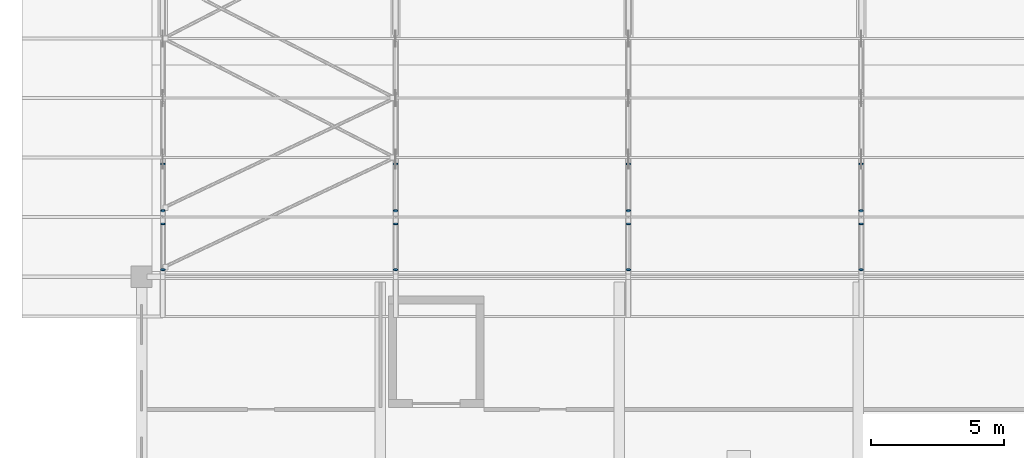
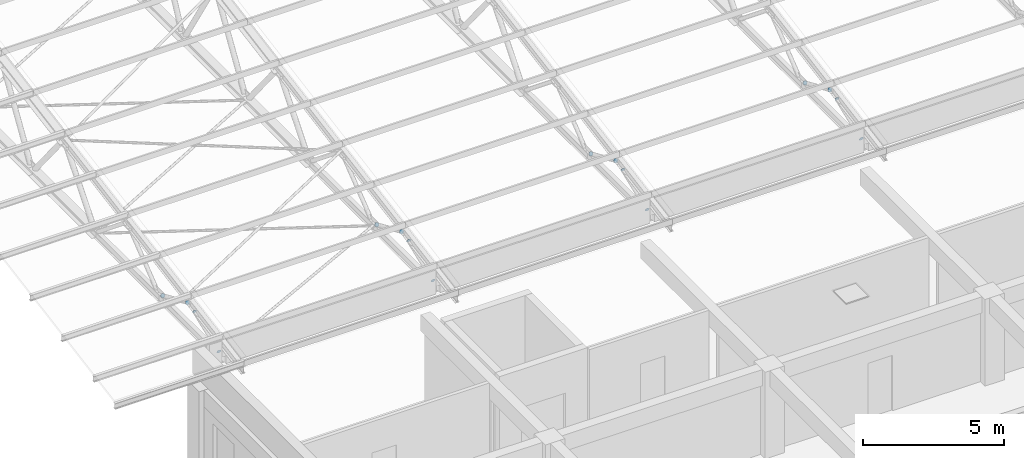
# One storey, part 102 of 185: 16 plates.
"""IFC4 building model written with IfcOpenShell, lengths in metres."""

from ifc_helpers import new_model, si_unit, direction, frame, origin, origin_2d, place, context, subcontext, project, spatial, circle, extrude, material, material_profile, profile_set, type_object, element, save


model = new_model("IFC4")

# Units and contexts
model_context = context("Model", 3, precision=1e-05, world=origin(), true_north=direction((0.0, 1.0)))
body_context = subcontext(model_context, "Body", "Model", "MODEL_VIEW")
ifc_project = project(units=[si_unit("LENGTHUNIT", "METRE"), si_unit("AREAUNIT", "SQUARE_METRE"), si_unit("VOLUMEUNIT", "CUBIC_METRE"), si_unit("PLANEANGLEUNIT", "RADIAN"), si_unit("MASSUNIT", "GRAM", prefix="KILO")], contexts=[model_context])

# Site, building, storey
site_placement = place(None, origin())
site = spatial("IfcSite", under=ifc_project, at=site_placement, CompositionType="ELEMENT")
building_placement = place(site_placement, origin())
building = spatial("IfcBuilding", under=site, at=building_placement, Name="Opaline Strait Convention Centre", CompositionType="ELEMENT")
storey_placement = place(building_placement, frame((0.0, 0.0, 6.0)))
storey = spatial("IfcBuildingStorey", under=building, at=storey_placement, Name="L01", CompositionType="ELEMENT", Elevation=6.0)

# Plates
ifc_material = material(Name="Steel Q355B", Category="steel")
ifc_material_profile = material_profile(ifc_material, circle(Radius=0.083984375, at=origin_2d()), Name="D168")
ifc_profile_set = profile_set([ifc_material_profile], Name="Steel Q355B")
plate_type = type_object("IfcPlateType", Name="Truss web end plate 168 x 12", PredefinedType="SHEET", material=ifc_profile_set)
for number, where, z_axis, x_axis, name in (
    (1, (288.800048828125, 27.2548828125, 4.678955078125), (0.0, 0.931242779706, 0.364399348581), (-1.0, 0.0, 0.0), "BWP1 web end plate line 1 member 1.1"),
    (2, (288.800048828125, 28.977783203125, 5.364501953125), (0.0, 0.931242779706, 0.364399348581), (-1.0, 0.0, 0.0), "BWP1 web end plate line 1 member 1.2"),
    (3, (288.800048828125, 31.25048828125, 4.678955078125), (0.0, -0.91381154862, 0.406138466053), (1.0, 0.0, 0.0), "BWP1 web end plate line 1 member 2.1"),
    (4, (288.800048828125, 29.49169921875, 5.450927734375), (0.0, -0.91381154862, 0.406138466053), (1.0, 0.0, 0.0), "BWP1 web end plate line 1 member 2.2"),
    (5, (297.5712890625, 27.2548828125, 4.678955078125), (0.0, 0.931242779706, 0.364399348581), (-1.0, 0.0, 0.0), "BWP1 web end plate line 2 member 1.1"),
    (6, (297.5712890625, 28.977783203125, 5.364501953125), (0.0, 0.931242779706, 0.364399348581), (-1.0, 0.0, 0.0), "BWP1 web end plate line 2 member 1.2"),
    (7, (297.5712890625, 31.25048828125, 4.678955078125), (0.0, -0.91381154862, 0.406138466053), (1.0, 0.0, 0.0), "BWP1 web end plate line 2 member 2.1"),
    (8, (297.5712890625, 29.49169921875, 5.450927734375), (0.0, -0.91381154862, 0.406138466053), (1.0, 0.0, 0.0), "BWP1 web end plate line 2 member 2.2"),
    (9, (306.343017578125, 27.2548828125, 4.678955078125), (0.0, 0.931242779706, 0.364399348581), (-1.0, 0.0, 0.0), "BWP1 web end plate line 3 member 1.1"),
    (10, (306.343017578125, 28.977783203125, 5.364501953125), (0.0, 0.931242779706, 0.364399348581), (-1.0, 0.0, 0.0), "BWP1 web end plate line 3 member 1.2"),
    (11, (306.343017578125, 31.25048828125, 4.678955078125), (0.0, -0.91381154862, 0.406138466053), (1.0, 0.0, 0.0), "BWP1 web end plate line 3 member 2.1"),
    (12, (306.343017578125, 29.49169921875, 5.450927734375), (0.0, -0.91381154862, 0.406138466053), (1.0, 0.0, 0.0), "BWP1 web end plate line 3 member 2.2"),
    (13, (315.1142578125, 27.2548828125, 4.678955078125), (0.0, 0.931242779706, 0.364399348581), (-1.0, 0.0, 0.0), "BWP1 web end plate line 4 member 1.1"),
    (14, (315.1142578125, 28.977783203125, 5.364501953125), (0.0, 0.931242779706, 0.364399348581), (-1.0, 0.0, 0.0), "BWP1 web end plate line 4 member 1.2"),
    (15, (315.1142578125, 31.25048828125, 4.678955078125), (0.0, -0.91381154862, 0.406138466053), (1.0, 0.0, 0.0), "BWP1 web end plate line 4 member 2.1"),
    (16, (315.1142578125, 29.49169921875, 5.450927734375), (0.0, -0.91381154862, 0.406138466053), (1.0, 0.0, 0.0), "BWP1 web end plate line 4 member 2.2"),
):
    element("IfcPlate", number, at=place(storey_placement, frame(where, z_axis=z_axis, x_axis=x_axis)), inside=storey, type_object=plate_type, Name=name, PredefinedType="SHEET", context=body_context, shape_type="SweptSolid", body=[
        extrude(circle(Radius=0.083984375, at=origin_2d()), origin(), (0.0, 0.0, 1.0), 0.011962890625),
    ])

save(model, "model.ifc")
